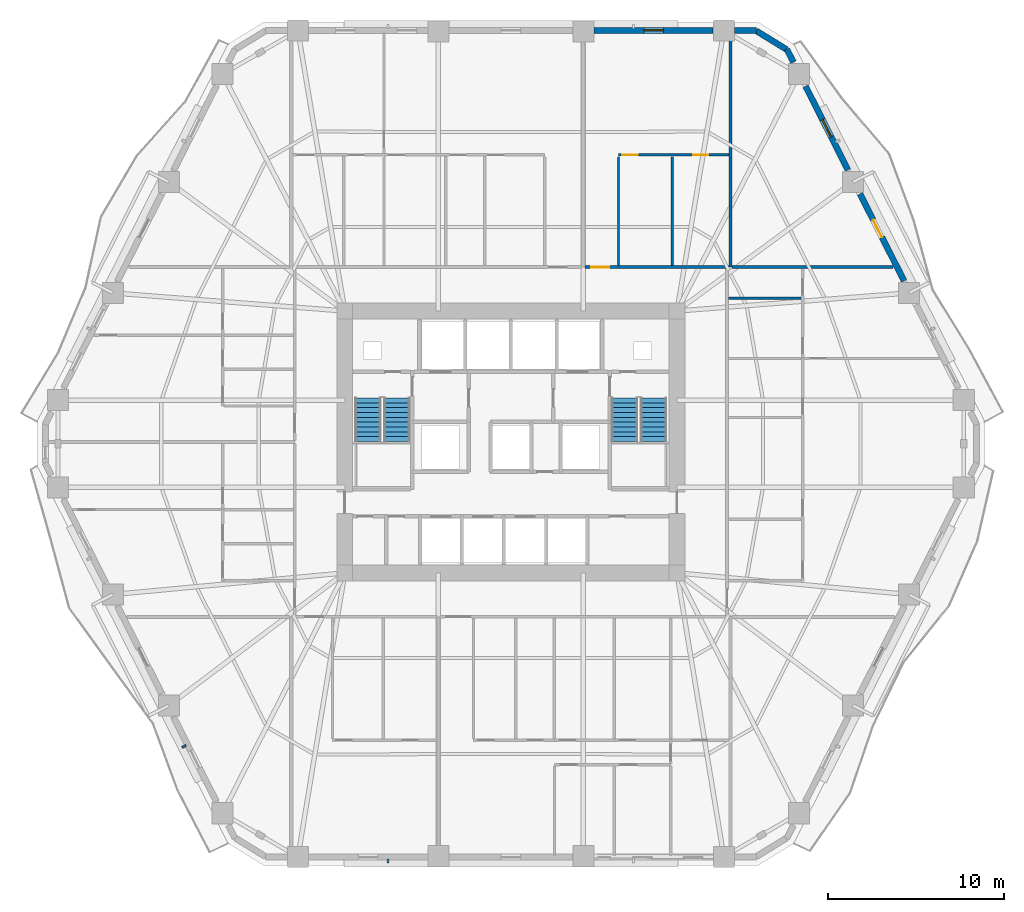
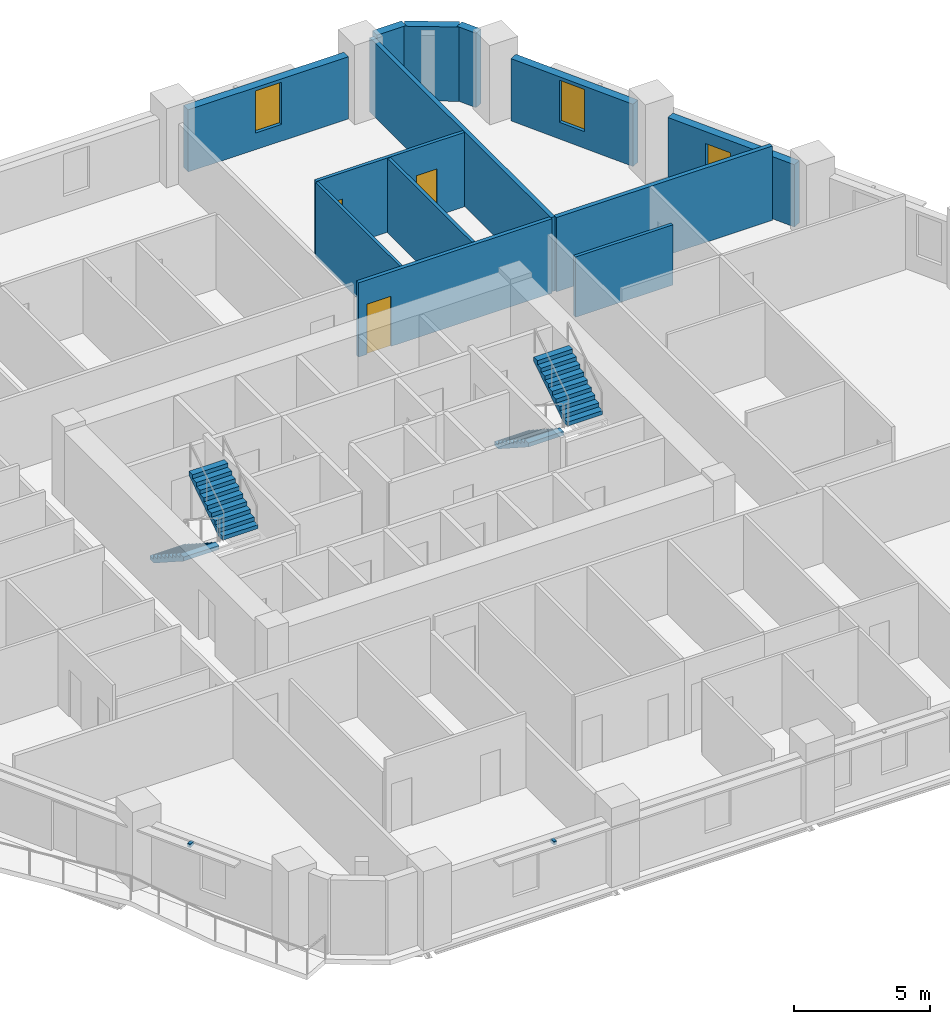
# One storey, part 8 of 14: 13 walls, 4 doors, 4 stair flights, 2 discrete accessories, 2 windows, 6 openings, 2 elements without a shape of their own.
"""IFC4 building model written with IfcOpenShell, lengths in metres."""

from ifc_helpers import new_model, si_unit, direction, frame, frame_2d, origin, origin_2d, place, context, subcontext, project, spatial, polyline, rectangle, outline, extrude, material, layer, layer_set, type_object, element, fill, aggregate, save


model = new_model("IFC4")

# Units and contexts
model_context = context("Model", 3, precision=1e-05, world=origin(), true_north=direction((0.0, 1.0)))
body_context = subcontext(model_context, "Body", "Model", "MODEL_VIEW")
ifc_project = project(units=[si_unit("LENGTHUNIT", "METRE"), si_unit("AREAUNIT", "SQUARE_METRE"), si_unit("VOLUMEUNIT", "CUBIC_METRE"), si_unit("PLANEANGLEUNIT", "RADIAN"), si_unit("MASSUNIT", "GRAM", prefix="KILO")], contexts=[model_context])

# Site, building, storey
site_placement = place(None, origin())
site = spatial("IfcSite", under=ifc_project, at=site_placement, CompositionType="ELEMENT")
building_placement = place(site_placement, origin())
building = spatial("IfcBuilding", under=site, at=building_placement, Name="Cinnabar Lancet Tower", CompositionType="ELEMENT")
storey_placement = place(building_placement, frame((0.0, 0.0, 35.550048828125)))
storey = spatial("IfcBuildingStorey", under=building, at=storey_placement, Name="L08", CompositionType="ELEMENT", Elevation=35.550048828125)

# Wall, opening, door
ifc_material_1 = material(Name="Acoustic twin-stud gypsum partition", Category="gypsum")
ifc_layer_1 = layer(ifc_material_1, 0.159912109375)
ifc_layer_set_1 = layer_set([ifc_layer_1], Name="Acoustic twin-stud gypsum partition")
wall_type_1 = type_object("IfcWallType", Name="ARC-WL-CORR-160", PredefinedType="PARTITIONING", material=ifc_layer_set_1)
wall_1_placement = place(storey_placement, frame((36.616943359375, 35.85009765625, 0.0), z_axis=(0.0, 0.0, 1.0), x_axis=(1.0, 0.0, 0.0)))
wall_1 = element("IfcWall", 1, at=wall_1_placement, inside=storey, type_object=wall_type_1, Name="L08 Unit N02 Corridor Wall", PredefinedType="PARTITIONING", context=body_context, shape_type="SweptSolid", body=[
    extrude(rectangle(XDim=8.18798828125, YDim=0.159912109375, at=frame_2d((4.093994140625, 0.0))), origin(), (0.0, 0.0, 1.0), 3.329833984375),
])
opening_1_placement = place(wall_1_placement, frame((0.35498046875, 0.0, 0.0)))
opening_1 = element("IfcOpeningElement", 2, at=opening_1_placement, cuts=wall_1, Name="Opening UD-01", PredefinedType="OPENING", context=body_context, shape_type="SweptSolid", body=[
    extrude(rectangle(XDim=1.02001953125, YDim=2.25, at=frame_2d((0.510009765625, 1.125))), frame((0.0, 0.08984375, 0.0), z_axis=(0.0, -1.0, 0.0), x_axis=(1.0, 0.0, 0.0)), (0.0, 0.0, 1.0), 0.179931640625),
])
ifc_material_2 = material(Name="Solid timber fire-rated apartment entrance door", Category="wood")
door_type_1 = type_object("IfcDoorType", Name="ARC-DR-UNIT", OperationType="NOTDEFINED", PredefinedType="DOOR", material=ifc_material_2)
door_1_placement = place(opening_1_placement, origin())
door_1 = element("IfcDoor", 3, at=door_1_placement, inside=storey, type_object=door_type_1, Name="DR-L08-N02-ENT", OperationType="SINGLE_SWING_RIGHT", OverallHeight=2.25, OverallWidth=1.02001953125, PredefinedType="DOOR", context=body_context, shape_type="SweptSolid", body=[
    extrude(rectangle(XDim=1.02001953125, YDim=2.25, at=frame_2d((0.510009765625, 1.125))), frame((0.0, 0.02490234375, 0.0), z_axis=(0.0, -1.0, 0.0), x_axis=(1.0, 0.0, 0.0)), (0.0, 0.0, 1.0), 0.050048828125),
])
fill(opening_1, door_1)

# Walls
ifc_material_3 = material(Name="Fire-rated twin-frame acoustic drywall", Category="gypsum")
ifc_layer_2 = layer(ifc_material_3, 0.179931640625)
ifc_layer_set_2 = layer_set([ifc_layer_2], Name="Fire-rated twin-frame acoustic drywall")
wall_type_2 = type_object("IfcWallType", Name="ARC-WL-PARTY-180", PredefinedType="PARTITIONING", material=ifc_layer_set_2)
wall_2_placement = place(storey_placement, frame((44.89990234375, 35.85009765625, 0.0), z_axis=(0.0, 0.0, 1.0), x_axis=(0.0, 1.0, 0.0)))
element("IfcWall", 4, at=wall_2_placement, inside=storey, type_object=wall_type_2, Name="PW-L08-NPTY-449", PredefinedType="PARTITIONING", context=body_context, shape_type="SweptSolid", body=[
    extrude(rectangle(XDim=13.294921875, YDim=0.179931640625, at=frame_2d((6.6474609375, 0.0))), origin(), (0.0, 0.0, 1.0), 3.329833984375),
])
wall_3_placement = place(storey_placement, frame((44.9951171875, 35.85009765625, 0.0), z_axis=(0.0, 0.0, 1.0), x_axis=(1.0, 0.0, 0.0)))
element("IfcWall", 5, at=wall_3_placement, inside=storey, type_object=wall_type_2, Name="PW-L08-ENB", PredefinedType="PARTITIONING", context=body_context, shape_type="SweptSolid", body=[
    extrude(rectangle(XDim=9.139892578125, YDim=0.179931640625, at=frame_2d((4.56982421875, 0.0))), origin(), (0.0, 0.0, 1.0), 3.329833984375),
])
ifc_material_4 = material(Name="Gypsum plasterboard stud partition", Category="gypsum")
ifc_layer_3 = layer(ifc_material_4, 0.125)
ifc_layer_set_3 = layer_set([ifc_layer_3], Name="Gypsum plasterboard stud partition")
wall_type_3 = type_object("IfcWallType", Name="ARC-WL-UNIT-125", PredefinedType="PARTITIONING", material=ifc_layer_set_3)
wall_4_placement = place(storey_placement, frame((38.52197265625, 35.93505859375, 0.0), z_axis=(0.0, 0.0, 1.0), x_axis=(0.0, 1.0, 0.0)))
element("IfcWall", 6, at=wall_4_placement, inside=storey, type_object=wall_type_3, Name="UW-L08-N02-FOYE", PredefinedType="PARTITIONING", context=body_context, shape_type="SweptSolid", body=[
    extrude(rectangle(XDim=6.19189453125, YDim=0.125, at=frame_2d((3.095947265625, 0.0))), origin(), (0.0, 0.0, 1.0), 3.329833984375),
])

# Wall, openings, doors
ifc_material_5 = material(Name="Moisture-resistant cement-board plumbing wall", Category="masonry")
ifc_layer_4 = layer(ifc_material_5, 0.139892578125)
ifc_layer_set_4 = layer_set([ifc_layer_4], Name="Moisture-resistant cement-board plumbing wall")
wall_type_4 = type_object("IfcWallType", Name="ARC-WL-WET-140", PredefinedType="PLUMBINGWALL", material=ifc_layer_set_4)
wall_5_placement = place(storey_placement, frame((38.52197265625, 42.23193359375, 0.0), z_axis=(0.0, 0.0, 1.0), x_axis=(1.0, 0.0, 0.0)))
wall_5 = element("IfcWall", 7, at=wall_5_placement, inside=storey, type_object=wall_type_4, Name="UW-L08-N02-SPL", PredefinedType="PLUMBINGWALL", context=body_context, shape_type="SweptSolid", body=[
    extrude(rectangle(XDim=6.282958984375, YDim=0.139892578125, at=frame_2d((3.1416015625, 0.0))), origin(), (0.0, 0.0, 1.0), 3.329833984375),
])
opening_2_placement = place(wall_5_placement, frame((4.2470703125, 0.0, 0.0)))
opening_2 = element("IfcOpeningElement", 8, at=opening_2_placement, cuts=wall_5, Name="Opening BD-01", PredefinedType="OPENING", context=body_context, shape_type="SweptSolid", body=[
    extrude(rectangle(XDim=0.860107421875, YDim=2.10009765625, at=frame_2d((0.43017578125, 1.050048828125))), frame((0.0, 0.079833984375, 0.0), z_axis=(0.0, -1.0, 0.0), x_axis=(1.0, 0.0, 0.0)), (0.0, 0.0, 1.0), 0.159912109375),
])
opening_3_placement = place(wall_5_placement, frame((0.219970703125, 0.0, 0.0)))
opening_3 = element("IfcOpeningElement", 9, at=opening_3_placement, cuts=wall_5, Name="Opening RD-02", PredefinedType="OPENING", context=body_context, shape_type="SweptSolid", body=[
    extrude(rectangle(XDim=0.8798828125, YDim=2.14990234375, at=frame_2d((0.43994140625, 1.074951171875))), frame((0.0, 0.079833984375, 0.0), z_axis=(0.0, -1.0, 0.0), x_axis=(1.0, 0.0, 0.0)), (0.0, 0.0, 1.0), 0.159912109375),
])
ifc_material_6 = material(Name="Moisture-resistant timber bathroom door", Category="wood")
door_type_2 = type_object("IfcDoorType", Name="ARC-DR-BATH", OperationType="NOTDEFINED", PredefinedType="DOOR", material=ifc_material_6)
door_2_placement = place(opening_2_placement, origin())
door_2 = element("IfcDoor", 10, at=door_2_placement, inside=storey, type_object=door_type_2, Name="DR-L08-N02-BTH", OperationType="SINGLE_SWING_RIGHT", OverallHeight=2.10009765625, OverallWidth=0.860107421875, PredefinedType="DOOR", context=body_context, shape_type="SweptSolid", body=[
    extrude(rectangle(XDim=0.860107421875, YDim=2.10009765625, at=frame_2d((0.43017578125, 1.050048828125))), frame((0.0, 0.02490234375, 0.0), z_axis=(0.0, -1.0, 0.0), x_axis=(1.0, 0.0, 0.0)), (0.0, 0.0, 1.0), 0.050048828125),
])
fill(opening_2, door_2)
ifc_material_7 = material(Name="Engineered timber study door", Category="wood")
door_type_3 = type_object("IfcDoorType", Name="ARC-DR-STUDY", OperationType="NOTDEFINED", PredefinedType="DOOR", material=ifc_material_7)
door_3_placement = place(opening_3_placement, origin())
door_3 = element("IfcDoor", 11, at=door_3_placement, inside=storey, type_object=door_type_3, Name="DR-L08-N02-KIT", OperationType="SINGLE_SWING_LEFT", OverallHeight=2.14990234375, OverallWidth=0.8798828125, PredefinedType="DOOR", context=body_context, shape_type="SweptSolid", body=[
    extrude(rectangle(XDim=0.8798828125, YDim=2.14990234375, at=frame_2d((0.43994140625, 1.074951171875))), frame((0.0, 0.02490234375, 0.0), z_axis=(0.0, -1.0, 0.0), x_axis=(1.0, 0.0, 0.0)), (0.0, 0.0, 1.0), 0.050048828125),
])
fill(opening_3, door_3)

# Walls
wall_6_placement = place(storey_placement, frame((41.5830078125, 35.93505859375, 0.0), z_axis=(0.0, 0.0, 1.0), x_axis=(0.0, 1.0, 0.0)))
element("IfcWall", 12, at=wall_6_placement, inside=storey, type_object=wall_type_4, Name="UW-L08-N02-KDV", PredefinedType="PLUMBINGWALL", context=body_context, shape_type="SweptSolid", body=[
    extrude(rectangle(XDim=6.19189453125, YDim=0.139892578125, at=frame_2d((3.095947265625, 0.0))), origin(), (0.0, 0.0, 1.0), 3.329833984375),
])
wall_7_placement = place(storey_placement, frame((44.784912109375, 34.069091796875, 0.0), z_axis=(0.0, 0.0, 1.0), x_axis=(1.0, 0.0, 0.0)))
element("IfcWall", 13, at=wall_7_placement, inside=storey, type_object=wall_type_4, Name="UW-L08-E01-EWDV", PredefinedType="PLUMBINGWALL", context=body_context, shape_type="SweptSolid", body=[
    extrude(rectangle(XDim=4.130126953125, YDim=0.139892578125, at=frame_2d((2.06494140625, 0.0))), origin(), (0.0, 0.0, 1.0), 2.699951171875),
])
ifc_material_8 = material(Name="Cinnabar red clay brick", Category="masonry")
ifc_layer_5 = layer(ifc_material_8, 0.340087890625)
ifc_layer_set_5 = layer_set([ifc_layer_5], Name="Cinnabar red clay brick")
wall_type_5 = type_object("IfcWallType", Name="ENV-WL-BRK-RED-340", PredefinedType="STANDARD", material=ifc_layer_set_5)
wall_8_placement = place(storey_placement, frame((48.080078125, 48.238037109375, 0.0), z_axis=(0.0, 0.0, 1.0), x_axis=(-0.851870104345, 0.523753114857, 0.0)))
element("IfcWall", 14, at=wall_8_placement, inside=storey, type_object=wall_type_5, Name="L08 Chamfered Corner Brick Pier 4.1", PredefinedType="STANDARD", context=body_context, shape_type="SweptSolid", body=[
    extrude(rectangle(XDim=2.017822265625, YDim=0.340087890625, at=frame_2d((1.0087890625, 0.0))), origin(), (0.0, 0.0, 1.0), 3.329833984375),
])

# Wall, opening, door
wall_9_placement = place(storey_placement, frame((54.77587890625, 35.06103515625, 0.0), z_axis=(0.0, 0.0, 1.0), x_axis=(-0.451592100298, 0.892224509273, 0.0)))
wall_9 = element("IfcWall", 15, at=wall_9_placement, inside=storey, type_object=wall_type_5, Name="L08 Face 3 Masonry Bay Wall 3", PredefinedType="STANDARD", context=body_context, shape_type="SweptSolid", body=[
    extrude(rectangle(XDim=5.546875, YDim=0.340087890625, at=frame_2d((2.7734375, 0.0))), origin(), (0.0, 0.0, 1.0), 2.786865234375),
])
opening_4_placement = place(wall_9_placement, frame((2.791015625, 0.0, 0.0)))
opening_4 = element("IfcOpeningElement", 16, at=opening_4_placement, cuts=wall_9, Name="Opening TD-01", PredefinedType="OPENING", context=body_context, shape_type="SweptSolid", body=[
    extrude(rectangle(XDim=1.10009765625, YDim=2.25, at=frame_2d((0.550048828125, 1.125))), frame((0.0, 0.179931640625, 0.0), z_axis=(0.0, -1.0, 0.0), x_axis=(1.0, 0.0, 0.0)), (0.0, 0.0, 1.0), 0.360107421875),
])
ifc_material_9 = material(Name="Thermally broken low-E glazed balcony terrace door", Category="wood")
door_type_4 = type_object("IfcDoorType", Name="ARC-DR-BALC", OperationType="NOTDEFINED", PredefinedType="DOOR", material=ifc_material_9)
door_4_placement = place(opening_4_placement, origin())
door_4 = element("IfcDoor", 17, at=door_4_placement, inside=storey, type_object=door_type_4, Name="L08 Face 3 Glazed Terrace Door", OperationType="SINGLE_SWING_LEFT", OverallHeight=2.25, OverallWidth=1.10009765625, PredefinedType="DOOR", context=body_context, shape_type="SweptSolid", body=[
    extrude(rectangle(XDim=1.10009765625, YDim=2.25, at=frame_2d((0.550048828125, 1.125))), frame((0.0, 0.02490234375, 0.0), z_axis=(0.0, -1.0, 0.0), x_axis=(1.0, 0.0, 0.0)), (0.0, 0.0, 1.0), 0.050048828125),
])
fill(opening_4, door_4)

# Wall, opening, window
wall_10_placement = place(storey_placement, frame((51.5830078125, 41.3720703125, 0.0), z_axis=(0.0, 0.0, 1.0), x_axis=(-0.451697561555, 0.892171123095, 0.0)))
wall_10 = element("IfcWall", 18, at=wall_10_placement, inside=storey, type_object=wall_type_5, Name="L08 Face 3 Masonry Bay Wall 4", PredefinedType="STANDARD", context=body_context, shape_type="SweptSolid", body=[
    extrude(rectangle(XDim=5.350830078125, YDim=0.340087890625, at=frame_2d((2.67529296875, 0.0))), origin(), (0.0, 0.0, 1.0), 2.786865234375),
])
opening_5_placement = place(wall_10_placement, frame((2.125, 0.0, 0.75)))
opening_5 = element("IfcOpeningElement", 19, at=opening_5_placement, cuts=wall_10, Name="Opening WN-04", PredefinedType="OPENING", context=body_context, shape_type="SweptSolid", body=[
    extrude(rectangle(XDim=1.10009765625, YDim=1.886962890625, at=frame_2d((0.550048828125, 0.943359375))), frame((0.0, 0.179931640625, 0.0), z_axis=(0.0, -1.0, 0.0), x_axis=(1.0, 0.0, 0.0)), (0.0, 0.0, 1.0), 0.360107421875),
])
ifc_material_10 = material(Name="Thermally broken bronze-anodized aluminium tall lancet window", Category="aluminium")
window_type = type_object("IfcWindowType", Name="ENV-WN-LANCET-1100", PartitioningType="SINGLE_PANEL", PredefinedType="WINDOW", material=ifc_material_10)
window_1_placement = place(opening_5_placement, origin())
window_1 = element("IfcWindow", 20, at=window_1_placement, inside=storey, type_object=window_type, Name="L08 Face 3 Gothic Lancet Window 4", OverallHeight=1.886962890625, OverallWidth=1.10009765625, PartitioningType="SINGLE_PANEL", PredefinedType="WINDOW", context=body_context, shape_type="SweptSolid", body=[
    extrude(rectangle(XDim=1.10009765625, YDim=1.886962890625, at=frame_2d((0.550048828125, 0.943359375))), frame((0.0, 0.030029296875, 0.0), z_axis=(0.0, -1.0, 0.0), x_axis=(1.0, 0.0, 0.0)), (0.0, 0.0, 1.0), 0.06005859375),
])
fill(opening_5, window_1)

# Walls
wall_11_placement = place(storey_placement, frame((48.47802734375, 47.508056640625, 0.0), z_axis=(0.0, 0.0, 1.0), x_axis=(-0.451995771866, 0.892020079491, 0.0)))
element("IfcWall", 21, at=wall_11_placement, inside=storey, type_object=wall_type_5, Name="L08 Face 3 Masonry Bay Wall 5", PredefinedType="STANDARD", context=body_context, shape_type="SweptSolid", body=[
    extrude(rectangle(XDim=0.836181640625, YDim=0.340087890625, at=frame_2d((0.41796875, 0.0))), origin(), (0.0, 0.0, 1.0), 3.329833984375),
])
wall_12_placement = place(storey_placement, frame((46.365966796875, 49.320068359375, 0.0), z_axis=(0.0, 0.0, 1.0), x_axis=(-1.0, 0.0, 0.0)))
element("IfcWall", 22, at=wall_12_placement, inside=storey, type_object=wall_type_5, Name="L08 Face 4 Masonry Bay Wall 1", PredefinedType="STANDARD", context=body_context, shape_type="SweptSolid", body=[
    extrude(rectangle(XDim=1.244873046875, YDim=0.340087890625, at=frame_2d((0.62255859375, 0.0))), origin(), (0.0, 0.0, 1.0), 3.329833984375),
])

# Wall, opening, window
wall_13_placement = place(storey_placement, frame((43.9130859375, 49.320068359375, 0.0), z_axis=(0.0, 0.0, 1.0), x_axis=(-1.0, 0.0, 0.0)))
wall_13 = element("IfcWall", 23, at=wall_13_placement, inside=storey, type_object=wall_type_5, Name="L08 Face 4 Masonry Bay Wall 2", PredefinedType="STANDARD", context=body_context, shape_type="SweptSolid", body=[
    extrude(rectangle(XDim=6.787109375, YDim=0.340087890625, at=frame_2d((3.3935546875, 0.0))), origin(), (0.0, 0.0, 1.0), 2.786865234375),
])
opening_6_placement = place(wall_13_placement, frame((2.843017578125, 0.0, 0.75)))
opening_6 = element("IfcOpeningElement", 24, at=opening_6_placement, cuts=wall_13, Name="Opening WN-04", PredefinedType="OPENING", context=body_context, shape_type="SweptSolid", body=[
    extrude(rectangle(XDim=1.10009765625, YDim=1.886962890625, at=frame_2d((0.550048828125, 0.943359375))), frame((0.0, 0.179931640625, 0.0), z_axis=(0.0, -1.0, 0.0), x_axis=(1.0, 0.0, 0.0)), (0.0, 0.0, 1.0), 0.360107421875),
])
window_2_placement = place(opening_6_placement, origin())
window_2 = element("IfcWindow", 25, at=window_2_placement, inside=storey, type_object=window_type, Name="L08 Face 4 Gothic Lancet Window 2", OverallHeight=1.886962890625, OverallWidth=1.10009765625, PartitioningType="SINGLE_PANEL", PredefinedType="WINDOW", context=body_context, shape_type="SweptSolid", body=[
    extrude(rectangle(XDim=1.10009765625, YDim=1.886962890625, at=frame_2d((0.550048828125, 0.943359375))), frame((0.0, 0.030029296875, 0.0), z_axis=(0.0, -1.0, 0.0), x_axis=(1.0, 0.0, 0.0)), (0.0, 0.0, 1.0), 0.06005859375),
])
fill(opening_6, window_2)

# Stair, stair flights
ifc_material_11 = material(Name="Concrete C40/50", Category="concrete")
stair_type = type_object("IfcStairType", Name="ST-CORE", PredefinedType="HALF_TURN_STAIR", material=ifc_material_11)
stair_1_placement = place(storey_placement, origin())
stair_1 = element("IfcStair", 26, at=stair_1_placement, inside=storey, type_object=stair_type, Name="L08 ST-1", PredefinedType="HALF_TURN_STAIR")
ifc_material_12 = material(Name="Concrete C40/50", Category="concrete")
stair_flight_type = type_object("IfcStairFlightType", Name="FLIGHT-CORE", PredefinedType="STRAIGHT", material=ifc_material_12)
stair_flight_1_placement = place(storey_placement, frame((24.27490234375, 28.39990234375, 0.0), z_axis=(0.0, 0.0, 1.0), x_axis=(0.0, -1.0, 0.0)))
stair_flight_1 = element("IfcStairFlight", 27, at=stair_flight_1_placement, type_object=stair_flight_type, Name="ST-1 flight 1", NumberOfRisers=10, NumberOfTreads=9, PredefinedType="STRAIGHT", RiserHeight=0.1775, TreadLength=0.275, context=body_context, shape_type="SweptSolid", body=[
    extrude(outline(polyline([(0.0, 0.0), (0.0, 0.177490234375), (0.27490234375, 0.177490234375), (0.27490234375, 0.35498046875), (0.550048828125, 0.35498046875), (0.550048828125, 0.532470703125), (0.824951171875, 0.532470703125), (0.824951171875, 0.7099609375), (1.10009765625, 0.7099609375), (1.10009765625, 0.887451171875), (1.375, 0.887451171875), (1.375, 1.06494140625), (1.64990234375, 1.06494140625), (1.64990234375, 1.242431640625), (1.925048828125, 1.242431640625), (1.925048828125, 1.419921875), (2.199951171875, 1.419921875), (2.199951171875, 1.597412109375), (2.47509765625, 1.597412109375), (2.47509765625, 1.77490234375), (2.47509765625, 1.419189453125), (0.2763671875, 0.0), (0.0, 0.0)])), frame((0.0, 0.75, 0.0), z_axis=(0.0, -1.0, 0.0), x_axis=(1.0, 0.0, 0.0)), (0.0, 0.0, 1.0), 1.5),
])
stair_flight_2_placement = place(storey_placement, frame((25.925048828125, 25.925048828125, 1.77490234375), z_axis=(0.0, 0.0, 1.0), x_axis=(0.0, 1.0, 0.0)))
stair_flight_2 = element("IfcStairFlight", 28, at=stair_flight_2_placement, type_object=stair_flight_type, Name="ST-1 flight 2", NumberOfRisers=10, NumberOfTreads=9, PredefinedType="STRAIGHT", RiserHeight=0.1775, TreadLength=0.275, context=body_context, shape_type="SweptSolid", body=[
    extrude(outline(polyline([(0.0, 0.0), (0.0, 0.177490234375), (0.27490234375, 0.177490234375), (0.27490234375, 0.35498046875), (0.550048828125, 0.35498046875), (0.550048828125, 0.532470703125), (0.824951171875, 0.532470703125), (0.824951171875, 0.7099609375), (1.10009765625, 0.7099609375), (1.10009765625, 0.887451171875), (1.375, 0.887451171875), (1.375, 1.06494140625), (1.64990234375, 1.06494140625), (1.64990234375, 1.242431640625), (1.925048828125, 1.242431640625), (1.925048828125, 1.419921875), (2.199951171875, 1.419921875), (2.199951171875, 1.597412109375), (2.47509765625, 1.597412109375), (2.47509765625, 1.77490234375), (2.47509765625, 1.419189453125), (0.2763671875, 0.0), (0.0, 0.0)])), frame((0.0, 0.75, 0.0), z_axis=(0.0, -1.0, 0.0), x_axis=(1.0, 0.0, 0.0)), (0.0, 0.0, 1.0), 1.5),
])
aggregate(stair_1, [stair_flight_1, stair_flight_2])

stair_2_placement = place(storey_placement, origin())
stair_2 = element("IfcStair", 29, at=stair_2_placement, inside=storey, type_object=stair_type, Name="L08 ST-2", PredefinedType="HALF_TURN_STAIR")
stair_flight_3_placement = place(storey_placement, frame((38.875, 28.39990234375, 0.0), z_axis=(0.0, 0.0, 1.0), x_axis=(0.0, -1.0, 0.0)))
stair_flight_3 = element("IfcStairFlight", 30, at=stair_flight_3_placement, type_object=stair_flight_type, Name="ST-2 flight 1", NumberOfRisers=10, NumberOfTreads=9, PredefinedType="STRAIGHT", RiserHeight=0.1775, TreadLength=0.275, context=body_context, shape_type="SweptSolid", body=[
    extrude(outline(polyline([(0.0, 0.0), (0.0, 0.177490234375), (0.27490234375, 0.177490234375), (0.27490234375, 0.35498046875), (0.550048828125, 0.35498046875), (0.550048828125, 0.532470703125), (0.824951171875, 0.532470703125), (0.824951171875, 0.7099609375), (1.10009765625, 0.7099609375), (1.10009765625, 0.887451171875), (1.375, 0.887451171875), (1.375, 1.06494140625), (1.64990234375, 1.06494140625), (1.64990234375, 1.242431640625), (1.925048828125, 1.242431640625), (1.925048828125, 1.419921875), (2.199951171875, 1.419921875), (2.199951171875, 1.597412109375), (2.47509765625, 1.597412109375), (2.47509765625, 1.77490234375), (2.47509765625, 1.419189453125), (0.2763671875, 0.0), (0.0, 0.0)])), frame((0.0, 0.75, 0.0), z_axis=(0.0, -1.0, 0.0), x_axis=(1.0, 0.0, 0.0)), (0.0, 0.0, 1.0), 1.5),
])
stair_flight_4_placement = place(storey_placement, frame((40.52490234375, 25.925048828125, 1.77490234375), z_axis=(0.0, 0.0, 1.0), x_axis=(0.0, 1.0, 0.0)))
stair_flight_4 = element("IfcStairFlight", 31, at=stair_flight_4_placement, type_object=stair_flight_type, Name="ST-2 flight 2", NumberOfRisers=10, NumberOfTreads=9, PredefinedType="STRAIGHT", RiserHeight=0.1775, TreadLength=0.275, context=body_context, shape_type="SweptSolid", body=[
    extrude(outline(polyline([(0.0, 0.0), (0.0, 0.177490234375), (0.27490234375, 0.177490234375), (0.27490234375, 0.35498046875), (0.550048828125, 0.35498046875), (0.550048828125, 0.532470703125), (0.824951171875, 0.532470703125), (0.824951171875, 0.7099609375), (1.10009765625, 0.7099609375), (1.10009765625, 0.887451171875), (1.375, 0.887451171875), (1.375, 1.06494140625), (1.64990234375, 1.06494140625), (1.64990234375, 1.242431640625), (1.925048828125, 1.242431640625), (1.925048828125, 1.419921875), (2.199951171875, 1.419921875), (2.199951171875, 1.597412109375), (2.47509765625, 1.597412109375), (2.47509765625, 1.77490234375), (2.47509765625, 1.419189453125), (0.2763671875, 0.0), (0.0, 0.0)])), frame((0.0, 0.75, 0.0), z_axis=(0.0, -1.0, 0.0), x_axis=(1.0, 0.0, 0.0)), (0.0, 0.0, 1.0), 1.5),
])
aggregate(stair_2, [stair_flight_3, stair_flight_4])

# Discrete accessories
ifc_material_13 = material(Name="Stainless steel 316 facade fixing bracket", Category="steel")
discrete_accessory_type = type_object("IfcDiscreteAccessoryType", Name="ENV-ACC-BRK-180", PredefinedType="BRACKET", material=ifc_material_13)
for number, where, z_axis, x_axis, name in (
    (32, (25.4169921875, 2.06005859375, 2.60009765625), (0.0, 0.0, 1.0), (1.0, 0.0, 0.0), "L08 Face 1 Sunshade Bracket A"),
    (33, (13.805908203125, 8.5791015625, 2.60009765625), (0.0, 0.0, 1.0), (0.451500573218, -0.892270829056, 0.0), "L08 Face 6 Sunshade Bracket B"),
):
    element("IfcDiscreteAccessory", number, at=place(storey_placement, frame(where, z_axis=z_axis, x_axis=x_axis)), inside=storey, type_object=discrete_accessory_type, Name=name, PredefinedType="BRACKET", context=body_context, shape_type="SweptSolid", body=[
        extrude(rectangle(XDim=0.1201171875, YDim=0.239990234375, at=origin_2d()), origin(), (0.0, 0.0, 1.0), 0.159912109375),
    ])

save(model, "model.ifc")
